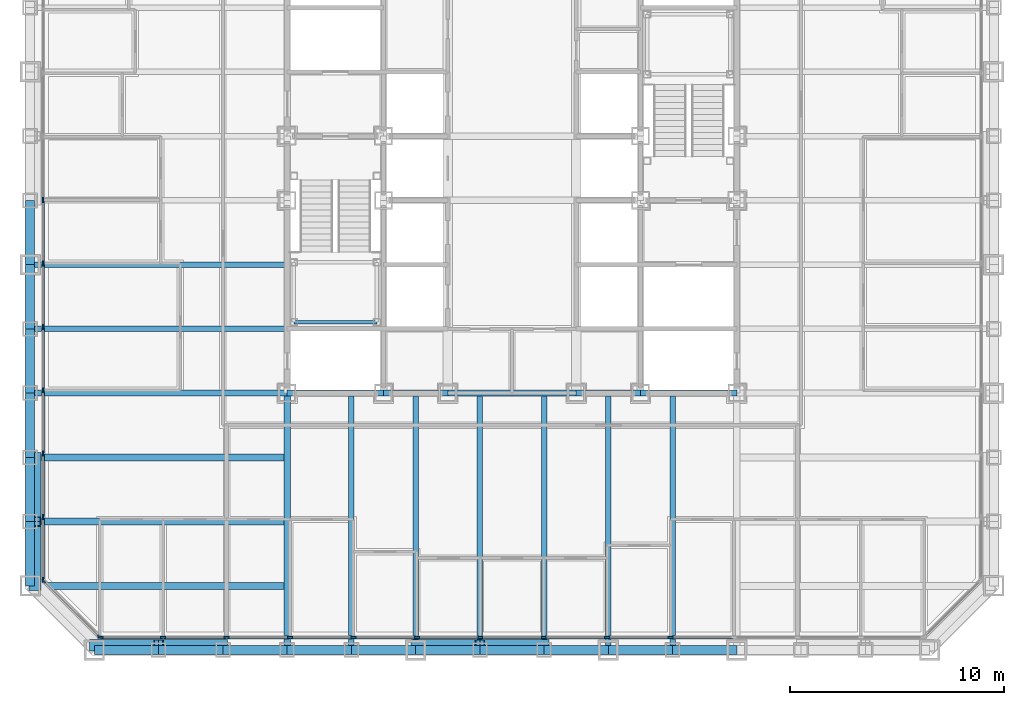
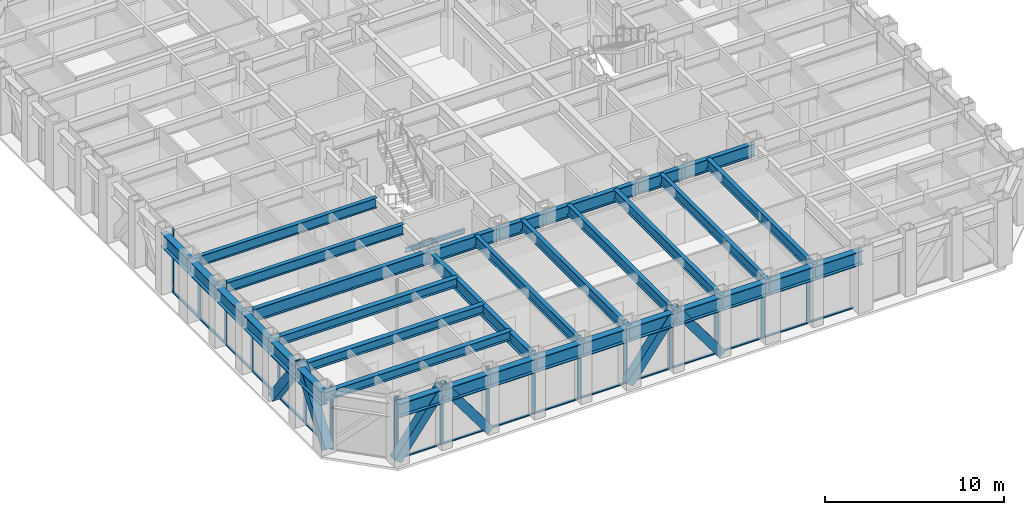
# One storey, part 2 of 16: 41 members, 35 beams, 3 elements without a shape of their own.
"""IFC4 building model written with IfcOpenShell, lengths in metres."""

from ifc_helpers import new_model, si_unit, direction, frame, origin, origin_2d, place, context, subcontext, project, spatial, rectangle, hollow_rectangle, i_section, extrude, material, layer, layer_set, material_profile, profile_set, type_object, element, aggregate, save


model = new_model("IFC4")

# Units and contexts
model_context = context("Model", 3, precision=1e-05, world=origin(), true_north=direction((0.0, 1.0)))
body_context = subcontext(model_context, "Body", "Model", "MODEL_VIEW")
ifc_project = project(units=[si_unit("LENGTHUNIT", "METRE"), si_unit("AREAUNIT", "SQUARE_METRE"), si_unit("VOLUMEUNIT", "CUBIC_METRE"), si_unit("PLANEANGLEUNIT", "RADIAN"), si_unit("MASSUNIT", "GRAM", prefix="KILO")], contexts=[model_context])

# Site, building, storey
site_placement = place(None, origin())
site = spatial("IfcSite", under=ifc_project, at=site_placement, CompositionType="ELEMENT")
building_placement = place(site_placement, origin())
building = spatial("IfcBuilding", under=site, at=building_placement, Name="Chuquiago Exchange Tower", CompositionType="ELEMENT")
storey_placement = place(building_placement, frame((0.0, 0.0, 78.300048828125)))
storey = spatial("IfcBuildingStorey", under=building, at=storey_placement, Name="L16", CompositionType="ELEMENT", Elevation=78.300048828125)

# Beams
ifc_material_1 = material(Name="Steel ASTM A992", Category="steel")
ifc_material_profile_1 = material_profile(ifc_material_1, i_section(OverallWidth=0.2919921875, OverallDepth=0.8583984375, WebThickness=0.01708984375, FlangeThickness=0.031005859375, at=origin_2d()), Name="W33X169")
ifc_profile_set_1 = profile_set([ifc_material_profile_1], Name="Steel ASTM A992")
beam_type_1 = type_object("IfcBeamType", Name="B3 W33X169", PredefinedType="BEAM", material=ifc_profile_set_1)
beam_1_placement = place(storey_placement, frame((12.0, 12.0, 3.610595703125), z_axis=(1.0, 0.0, 0.0), x_axis=(0.0, 1.0, 0.0)))
element("IfcBeam", 1, at=beam_1_placement, inside=storey, type_object=beam_type_1, Name="CB-L17-12_12-16.5_12", PredefinedType="BEAM", context=body_context, shape_type="SweptSolid", body=[
    extrude(i_section(OverallWidth=0.2919921875, OverallDepth=0.8583984375, WebThickness=0.01708984375, FlangeThickness=0.031005859375, at=origin_2d()), origin(), (0.0, 0.0, 1.0), 4.5),
])
beam_2_placement = place(storey_placement, frame((16.5, 12.0, 3.610595703125), z_axis=(1.0, 0.0, 0.0), x_axis=(0.0, 1.0, 0.0)))
element("IfcBeam", 2, at=beam_2_placement, inside=storey, type_object=beam_type_1, Name="CB-L17-16.5_12-19.5_12", PredefinedType="BEAM", context=body_context, shape_type="SweptSolid", body=[
    extrude(i_section(OverallWidth=0.2919921875, OverallDepth=0.8583984375, WebThickness=0.01708984375, FlangeThickness=0.031005859375, at=origin_2d()), origin(), (0.0, 0.0, 1.0), 3.0),
])
beam_3_placement = place(storey_placement, frame((19.5, 12.0, 3.610595703125), z_axis=(1.0, 0.0, 0.0), x_axis=(0.0, 1.0, 0.0)))
element("IfcBeam", 3, at=beam_3_placement, inside=storey, type_object=beam_type_1, Name="CB-L17-19.5_12-25.5_12", PredefinedType="BEAM", context=body_context, shape_type="SweptSolid", body=[
    extrude(i_section(OverallWidth=0.2919921875, OverallDepth=0.8583984375, WebThickness=0.01708984375, FlangeThickness=0.031005859375, at=origin_2d()), origin(), (0.0, 0.0, 1.0), 6.0),
])
beam_4_placement = place(storey_placement, frame((25.5, 12.0, 3.610595703125), z_axis=(1.0, 0.0, 0.0), x_axis=(0.0, 1.0, 0.0)))
element("IfcBeam", 4, at=beam_4_placement, inside=storey, type_object=beam_type_1, Name="CB-L17-25.5_12-28.5_12", PredefinedType="BEAM", context=body_context, shape_type="SweptSolid", body=[
    extrude(i_section(OverallWidth=0.2919921875, OverallDepth=0.8583984375, WebThickness=0.01708984375, FlangeThickness=0.031005859375, at=origin_2d()), origin(), (0.0, 0.0, 1.0), 3.0),
])
beam_5_placement = place(storey_placement, frame((28.5, 12.0, 3.610595703125), z_axis=(1.0, 0.0, 0.0), x_axis=(0.0, 1.0, 0.0)))
element("IfcBeam", 5, at=beam_5_placement, inside=storey, type_object=beam_type_1, Name="CB-L17-28.5_12-33_12", PredefinedType="BEAM", context=body_context, shape_type="SweptSolid", body=[
    extrude(i_section(OverallWidth=0.2919921875, OverallDepth=0.8583984375, WebThickness=0.01708984375, FlangeThickness=0.031005859375, at=origin_2d()), origin(), (0.0, 0.0, 1.0), 4.5),
])
ifc_material_2 = material(Name="Steel ASTM A992", Category="steel")
ifc_material_profile_2 = material_profile(ifc_material_2, i_section(OverallWidth=0.256591796875, OverallDepth=0.693359375, WebThickness=0.014404296875, FlangeThickness=0.023681640625, at=origin_2d()), Name="W27X114")
ifc_profile_set_2 = profile_set([ifc_material_profile_2], Name="Steel ASTM A992")
beam_type_2 = type_object("IfcBeamType", Name="B4 W27X114", PredefinedType="BEAM", material=ifc_profile_set_2)
for number, where, z_axis, x_axis, name in (
    (6, (15.0, 12.0, 3.693359375), (0.0, -1.0, 0.0), (1.0, 0.0, 0.0), "FB-L17-infill-15_12-15_-0-0"),
    (7, (18.0, 12.0, 3.693359375), (0.0, -1.0, 0.0), (1.0, 0.0, 0.0), "FB-L17-infill-18_12-18_-0-0"),
    (8, (21.0, 12.0, 3.693359375), (0.0, -1.0, 0.0), (1.0, 0.0, 0.0), "FB-L17-infill-21_12-21_-0-0"),
    (9, (24.0, 12.0, 3.693359375), (0.0, -1.0, 0.0), (1.0, 0.0, 0.0), "FB-L17-infill-24_12-24_-0-0"),
    (10, (27.0, 12.0, 3.693359375), (0.0, -1.0, 0.0), (1.0, 0.0, 0.0), "FB-L17-infill-27_12-27_-0-0"),
    (11, (30.0, 12.0, 3.693359375), (0.0, -1.0, 0.0), (1.0, 0.0, 0.0), "FB-L17-infill-30_12-30_-0-0"),
    (12, (12.0, 15.0, 3.693359375), (-1.0, 0.0, 0.0), (0.0, -1.0, 0.0), "FB-L17-infill-12_15--0_15-0"),
    (13, (12.0, 18.0, 3.693359375), (-1.0, 0.0, 0.0), (0.0, -1.0, 0.0), "FB-L17-infill-12_18--0_18-0"),
):
    element("IfcBeam", number, at=place(storey_placement, frame(where, z_axis=z_axis, x_axis=x_axis)), inside=storey, type_object=beam_type_2, Name=name, PredefinedType="BEAM", context=body_context, shape_type="SweptSolid", body=[
        extrude(i_section(OverallWidth=0.256591796875, OverallDepth=0.693359375, WebThickness=0.014404296875, FlangeThickness=0.023681640625, at=origin_2d()), origin(), (0.0, 0.0, 1.0), 12.0),
    ])
ifc_material_3 = material(Name="Steel ASTM A992", Category="steel")
ifc_material_profile_3 = material_profile(ifc_material_3, i_section(OverallWidth=0.3251953125, OverallDepth=0.6171875, WebThickness=0.013916015625, FlangeThickness=0.021484375, at=origin_2d()), Name="W24X117")
ifc_profile_set_3 = profile_set([ifc_material_profile_3], Name="Steel ASTM A992")
beam_type_3 = type_object("IfcBeamType", Name="B5 W24X117", PredefinedType="BEAM", material=ifc_profile_set_3)
for number, where, z_axis, x_axis, name in (
    (14, (12.0, 3.0, 3.7314453125), (-1.0, 0.0, 0.0), (0.0, -1.0, 0.0), "FB-L17-corner-12_3--0_3-0"),
    (15, (12.0, 6.0, 3.7314453125), (-1.0, 0.0, 0.0), (0.0, -1.0, 0.0), "FB-L17-corner-12_6--0_6-0"),
    (16, (12.0, 9.0, 3.7314453125), (-1.0, 0.0, 0.0), (0.0, -1.0, 0.0), "FB-L17-corner-12_9--0_9-0"),
):
    element("IfcBeam", number, at=place(storey_placement, frame(where, z_axis=z_axis, x_axis=x_axis)), inside=storey, type_object=beam_type_3, Name=name, PredefinedType="BEAM", context=body_context, shape_type="SweptSolid", body=[
        extrude(i_section(OverallWidth=0.3251953125, OverallDepth=0.6171875, WebThickness=0.013916015625, FlangeThickness=0.021484375, at=origin_2d()), origin(), (0.0, 0.0, 1.0), 12.0),
    ])

# Curtain wall, members
ifc_material_4 = material(Name="Aluminium curtain wall system", Category="aluminium")
ifc_layer_1 = layer(ifc_material_4, 0.25)
ifc_layer_set_1 = layer_set([ifc_layer_1], Name="CW1 trading floor curtain wall")
curtain_wall_type_1 = type_object("IfcCurtainWallType", Name="CW1 trading floor curtain wall", PredefinedType="NOTDEFINED", material=ifc_layer_set_1)
curtain_wall_1_placement = place(storey_placement, origin())
curtain_wall_1 = element("IfcCurtainWall", 17, at=curtain_wall_1_placement, inside=storey, type_object=curtain_wall_type_1, Name="CW1 curtain wall L16", PredefinedType="NOTDEFINED")
ifc_material_5 = material(Name="Aluminium mullion, pale anodised", Category="aluminium")
ifc_material_profile_4 = material_profile(ifc_material_5, rectangle(XDim=0.074951171875, YDim=0.25, at=origin_2d()), Name="AL 75x250")
ifc_profile_set_4 = profile_set([ifc_material_profile_4], Name="Aluminium mullion, pale anodised")
member_type_1 = type_object("IfcMemberType", Name="CW1-M mullion 75x250", PredefinedType="MULLION", material=ifc_profile_set_4)
member_1_placement = place(storey_placement, frame((3.285888671875, 0.60009765625, -0.300048828125), z_axis=(0.0, 0.0, 1.0), x_axis=(0.0, 1.0, 0.0)))
member_1 = element("IfcMember", 18, at=member_1_placement, type_object=member_type_1, Name="CW1 mullion 1", PredefinedType="MULLION", context=body_context, shape_type="SweptSolid", body=[
    extrude(rectangle(XDim=0.074951171875, YDim=0.25, at=origin_2d()), origin(), (0.0, 0.0, 1.0), 4.340087890625),
])
member_2_placement = place(storey_placement, frame((6.210205078125, 0.60009765625, -0.300048828125), z_axis=(0.0, 0.0, 1.0), x_axis=(0.0, 1.0, 0.0)))
member_2 = element("IfcMember", 19, at=member_2_placement, type_object=member_type_1, Name="CW1 mullion 2", PredefinedType="MULLION", context=body_context, shape_type="SweptSolid", body=[
    extrude(rectangle(XDim=0.074951171875, YDim=0.25, at=origin_2d()), origin(), (0.0, 0.0, 1.0), 4.340087890625),
])
member_3_placement = place(storey_placement, frame((9.172119140625, 0.60009765625, -0.300048828125), z_axis=(0.0, 0.0, 1.0), x_axis=(0.0, 1.0, 0.0)))
member_3 = element("IfcMember", 20, at=member_3_placement, type_object=member_type_1, Name="CW1 mullion 3", PredefinedType="MULLION", context=body_context, shape_type="SweptSolid", body=[
    extrude(rectangle(XDim=0.074951171875, YDim=0.25, at=origin_2d()), origin(), (0.0, 0.0, 1.0), 4.340087890625),
])
member_4_placement = place(storey_placement, frame((12.1337890625, 0.60009765625, -0.300048828125), z_axis=(0.0, 0.0, 1.0), x_axis=(0.0, 1.0, 0.0)))
member_4 = element("IfcMember", 21, at=member_4_placement, type_object=member_type_1, Name="CW1 mullion 4", PredefinedType="MULLION", context=body_context, shape_type="SweptSolid", body=[
    extrude(rectangle(XDim=0.074951171875, YDim=0.25, at=origin_2d()), origin(), (0.0, 0.0, 1.0), 4.340087890625),
])
member_5_placement = place(storey_placement, frame((15.095458984375, 0.60009765625, -0.300048828125), z_axis=(0.0, 0.0, 1.0), x_axis=(0.0, 1.0, 0.0)))
member_5 = element("IfcMember", 22, at=member_5_placement, type_object=member_type_1, Name="CW1 mullion 5", PredefinedType="MULLION", context=body_context, shape_type="SweptSolid", body=[
    extrude(rectangle(XDim=0.074951171875, YDim=0.25, at=origin_2d()), origin(), (0.0, 0.0, 1.0), 4.340087890625),
])
member_6_placement = place(storey_placement, frame((18.057373046875, 0.60009765625, -0.300048828125), z_axis=(0.0, 0.0, 1.0), x_axis=(0.0, 1.0, 0.0)))
member_6 = element("IfcMember", 23, at=member_6_placement, type_object=member_type_1, Name="CW1 mullion 6", PredefinedType="MULLION", context=body_context, shape_type="SweptSolid", body=[
    extrude(rectangle(XDim=0.074951171875, YDim=0.25, at=origin_2d()), origin(), (0.0, 0.0, 1.0), 4.340087890625),
])
member_7_placement = place(storey_placement, frame((21.01904296875, 0.60009765625, -0.300048828125), z_axis=(0.0, 0.0, 1.0), x_axis=(0.0, 1.0, 0.0)))
member_7 = element("IfcMember", 24, at=member_7_placement, type_object=member_type_1, Name="CW1 mullion 7", PredefinedType="MULLION", context=body_context, shape_type="SweptSolid", body=[
    extrude(rectangle(XDim=0.074951171875, YDim=0.25, at=origin_2d()), origin(), (0.0, 0.0, 1.0), 4.340087890625),
])
member_8_placement = place(storey_placement, frame((23.98095703125, 0.60009765625, -0.300048828125), z_axis=(0.0, 0.0, 1.0), x_axis=(0.0, 1.0, 0.0)))
member_8 = element("IfcMember", 25, at=member_8_placement, type_object=member_type_1, Name="CW1 mullion 8", PredefinedType="MULLION", context=body_context, shape_type="SweptSolid", body=[
    extrude(rectangle(XDim=0.074951171875, YDim=0.25, at=origin_2d()), origin(), (0.0, 0.0, 1.0), 4.340087890625),
])
member_9_placement = place(storey_placement, frame((26.942626953125, 0.60009765625, -0.300048828125), z_axis=(0.0, 0.0, 1.0), x_axis=(0.0, 1.0, 0.0)))
member_9 = element("IfcMember", 26, at=member_9_placement, type_object=member_type_1, Name="CW1 mullion 9", PredefinedType="MULLION", context=body_context, shape_type="SweptSolid", body=[
    extrude(rectangle(XDim=0.074951171875, YDim=0.25, at=origin_2d()), origin(), (0.0, 0.0, 1.0), 4.340087890625),
])
member_10_placement = place(storey_placement, frame((29.904541015625, 0.60009765625, -0.300048828125), z_axis=(0.0, 0.0, 1.0), x_axis=(0.0, 1.0, 0.0)))
member_10 = element("IfcMember", 27, at=member_10_placement, type_object=member_type_1, Name="CW1 mullion 10", PredefinedType="MULLION", context=body_context, shape_type="SweptSolid", body=[
    extrude(rectangle(XDim=0.074951171875, YDim=0.25, at=origin_2d()), origin(), (0.0, 0.0, 1.0), 4.340087890625),
])

curtain_wall_2_placement = place(storey_placement, origin())
curtain_wall_2 = element("IfcCurtainWall", 28, at=curtain_wall_2_placement, inside=storey, type_object=curtain_wall_type_1, Name="CW1 curtain wall L16", PredefinedType="NOTDEFINED")
member_11_placement = place(storey_placement, frame((0.60009765625, 21.01904296875, -0.300048828125), z_axis=(0.0, 0.0, 1.0), x_axis=(1.0, 0.0, 0.0)))
member_11 = element("IfcMember", 29, at=member_11_placement, type_object=member_type_1, Name="CW1 mullion 8", PredefinedType="MULLION", context=body_context, shape_type="SweptSolid", body=[
    extrude(rectangle(XDim=0.074951171875, YDim=0.25, at=origin_2d()), origin(), (0.0, 0.0, 1.0), 4.340087890625),
])
member_12_placement = place(storey_placement, frame((0.60009765625, 18.057373046875, -0.300048828125), z_axis=(0.0, 0.0, 1.0), x_axis=(1.0, 0.0, 0.0)))
member_12 = element("IfcMember", 30, at=member_12_placement, type_object=member_type_1, Name="CW1 mullion 9", PredefinedType="MULLION", context=body_context, shape_type="SweptSolid", body=[
    extrude(rectangle(XDim=0.074951171875, YDim=0.25, at=origin_2d()), origin(), (0.0, 0.0, 1.0), 4.340087890625),
])
member_13_placement = place(storey_placement, frame((0.60009765625, 15.095458984375, -0.300048828125), z_axis=(0.0, 0.0, 1.0), x_axis=(1.0, 0.0, 0.0)))
member_13 = element("IfcMember", 31, at=member_13_placement, type_object=member_type_1, Name="CW1 mullion 10", PredefinedType="MULLION", context=body_context, shape_type="SweptSolid", body=[
    extrude(rectangle(XDim=0.074951171875, YDim=0.25, at=origin_2d()), origin(), (0.0, 0.0, 1.0), 4.340087890625),
])
member_14_placement = place(storey_placement, frame((0.60009765625, 12.1337890625, -0.300048828125), z_axis=(0.0, 0.0, 1.0), x_axis=(1.0, 0.0, 0.0)))
member_14 = element("IfcMember", 32, at=member_14_placement, type_object=member_type_1, Name="CW1 mullion 11", PredefinedType="MULLION", context=body_context, shape_type="SweptSolid", body=[
    extrude(rectangle(XDim=0.074951171875, YDim=0.25, at=origin_2d()), origin(), (0.0, 0.0, 1.0), 4.340087890625),
])
member_15_placement = place(storey_placement, frame((0.60009765625, 9.172119140625, -0.300048828125), z_axis=(0.0, 0.0, 1.0), x_axis=(1.0, 0.0, 0.0)))
member_15 = element("IfcMember", 33, at=member_15_placement, type_object=member_type_1, Name="CW1 mullion 12", PredefinedType="MULLION", context=body_context, shape_type="SweptSolid", body=[
    extrude(rectangle(XDim=0.074951171875, YDim=0.25, at=origin_2d()), origin(), (0.0, 0.0, 1.0), 4.340087890625),
])
member_16_placement = place(storey_placement, frame((0.60009765625, 6.210205078125, -0.300048828125), z_axis=(0.0, 0.0, 1.0), x_axis=(1.0, 0.0, 0.0)))
member_16 = element("IfcMember", 34, at=member_16_placement, type_object=member_type_1, Name="CW1 mullion 13", PredefinedType="MULLION", context=body_context, shape_type="SweptSolid", body=[
    extrude(rectangle(XDim=0.074951171875, YDim=0.25, at=origin_2d()), origin(), (0.0, 0.0, 1.0), 4.340087890625),
])
member_17_placement = place(storey_placement, frame((0.60009765625, 3.285888671875, -0.300048828125), z_axis=(0.0, 0.0, 1.0), x_axis=(1.0, 0.0, 0.0)))
member_17 = element("IfcMember", 35, at=member_17_placement, type_object=member_type_1, Name="CW1 mullion 14", PredefinedType="MULLION", context=body_context, shape_type="SweptSolid", body=[
    extrude(rectangle(XDim=0.074951171875, YDim=0.25, at=origin_2d()), origin(), (0.0, 0.0, 1.0), 4.340087890625),
])

# Member
ifc_material_6 = material(Name="Aluminium transom, pale anodised", Category="aluminium")
ifc_material_profile_5 = material_profile(ifc_material_6, rectangle(XDim=0.14990234375, YDim=0.074951171875, at=origin_2d()), Name="AL 150x75")
ifc_profile_set_5 = profile_set([ifc_material_profile_5], Name="Aluminium transom, pale anodised")
member_type_2 = type_object("IfcMemberType", Name="CW1-T transom 75x150", PredefinedType="MULLION", material=ifc_profile_set_5)
member_18_placement = place(storey_placement, frame((3.323486328125, 0.60009765625, -0.262451171875), z_axis=(1.0, 0.0, 0.0), x_axis=(0.0, 1.0, 0.0)))
member_18 = element("IfcMember", 36, at=member_18_placement, type_object=member_type_2, Name="CW1 transom 1.1", PredefinedType="MULLION", context=body_context, shape_type="SweptSolid", body=[
    extrude(rectangle(XDim=0.14990234375, YDim=0.074951171875, at=origin_2d()), origin(), (0.0, 0.0, 1.0), 2.849365234375),
])

member_19_placement = place(storey_placement, frame((6.247802734375, 0.60009765625, -0.262451171875), z_axis=(1.0, 0.0, 0.0), x_axis=(0.0, 1.0, 0.0)))
member_19 = element("IfcMember", 37, at=member_19_placement, type_object=member_type_2, Name="CW1 transom 2.1", PredefinedType="MULLION", context=body_context, shape_type="SweptSolid", body=[
    extrude(rectangle(XDim=0.14990234375, YDim=0.074951171875, at=origin_2d()), origin(), (0.0, 0.0, 1.0), 2.88671875),
])

member_20_placement = place(storey_placement, frame((9.20947265625, 0.60009765625, -0.262451171875), z_axis=(1.0, 0.0, 0.0), x_axis=(0.0, 1.0, 0.0)))
member_20 = element("IfcMember", 38, at=member_20_placement, type_object=member_type_2, Name="CW1 transom 3.1", PredefinedType="MULLION", context=body_context, shape_type="SweptSolid", body=[
    extrude(rectangle(XDim=0.14990234375, YDim=0.074951171875, at=origin_2d()), origin(), (0.0, 0.0, 1.0), 2.88671875),
])

member_21_placement = place(storey_placement, frame((12.17138671875, 0.60009765625, -0.262451171875), z_axis=(1.0, 0.0, 0.0), x_axis=(0.0, 1.0, 0.0)))
member_21 = element("IfcMember", 39, at=member_21_placement, type_object=member_type_2, Name="CW1 transom 4.1", PredefinedType="MULLION", context=body_context, shape_type="SweptSolid", body=[
    extrude(rectangle(XDim=0.14990234375, YDim=0.074951171875, at=origin_2d()), origin(), (0.0, 0.0, 1.0), 2.88671875),
])

member_22_placement = place(storey_placement, frame((15.133056640625, 0.60009765625, -0.262451171875), z_axis=(1.0, 0.0, 0.0), x_axis=(0.0, 1.0, 0.0)))
member_22 = element("IfcMember", 40, at=member_22_placement, type_object=member_type_2, Name="CW1 transom 5.1", PredefinedType="MULLION", context=body_context, shape_type="SweptSolid", body=[
    extrude(rectangle(XDim=0.14990234375, YDim=0.074951171875, at=origin_2d()), origin(), (0.0, 0.0, 1.0), 2.88671875),
])

member_23_placement = place(storey_placement, frame((18.0947265625, 0.60009765625, -0.262451171875), z_axis=(1.0, 0.0, 0.0), x_axis=(0.0, 1.0, 0.0)))
member_23 = element("IfcMember", 41, at=member_23_placement, type_object=member_type_2, Name="CW1 transom 6.1", PredefinedType="MULLION", context=body_context, shape_type="SweptSolid", body=[
    extrude(rectangle(XDim=0.14990234375, YDim=0.074951171875, at=origin_2d()), origin(), (0.0, 0.0, 1.0), 2.886962890625),
])

member_24_placement = place(storey_placement, frame((21.056640625, 0.60009765625, -0.262451171875), z_axis=(1.0, 0.0, 0.0), x_axis=(0.0, 1.0, 0.0)))
member_24 = element("IfcMember", 42, at=member_24_placement, type_object=member_type_2, Name="CW1 transom 7.1", PredefinedType="MULLION", context=body_context, shape_type="SweptSolid", body=[
    extrude(rectangle(XDim=0.14990234375, YDim=0.074951171875, at=origin_2d()), origin(), (0.0, 0.0, 1.0), 2.88671875),
])

member_25_placement = place(storey_placement, frame((24.018310546875, 0.60009765625, -0.262451171875), z_axis=(1.0, 0.0, 0.0), x_axis=(0.0, 1.0, 0.0)))
member_25 = element("IfcMember", 43, at=member_25_placement, type_object=member_type_2, Name="CW1 transom 8.1", PredefinedType="MULLION", context=body_context, shape_type="SweptSolid", body=[
    extrude(rectangle(XDim=0.14990234375, YDim=0.074951171875, at=origin_2d()), origin(), (0.0, 0.0, 1.0), 2.886962890625),
])

member_26_placement = place(storey_placement, frame((26.980224609375, 0.60009765625, -0.262451171875), z_axis=(1.0, 0.0, 0.0), x_axis=(0.0, 1.0, 0.0)))
member_26 = element("IfcMember", 44, at=member_26_placement, type_object=member_type_2, Name="CW1 transom 9.1", PredefinedType="MULLION", context=body_context, shape_type="SweptSolid", body=[
    extrude(rectangle(XDim=0.14990234375, YDim=0.074951171875, at=origin_2d()), origin(), (0.0, 0.0, 1.0), 2.88671875),
])

member_27_placement = place(storey_placement, frame((29.94189453125, 0.60009765625, -0.262451171875), z_axis=(1.0, 0.0, 0.0), x_axis=(0.0, 1.0, 0.0)))
member_27 = element("IfcMember", 45, at=member_27_placement, type_object=member_type_2, Name="CW1 transom 10.1", PredefinedType="MULLION", context=body_context, shape_type="SweptSolid", body=[
    extrude(rectangle(XDim=0.14990234375, YDim=0.074951171875, at=origin_2d()), origin(), (0.0, 0.0, 1.0), 2.88671875),
])

aggregate(curtain_wall_1, [member_1, member_2, member_3, member_4, member_5, member_6, member_7, member_8, member_9, member_10, member_18, member_19, member_20, member_21, member_22, member_23, member_24, member_25, member_26, member_27])

member_28_placement = place(storey_placement, frame((0.60009765625, 20.981689453125, -0.262451171875), z_axis=(0.0, -1.0, 0.0), x_axis=(1.0, 0.0, 0.0)))
member_28 = element("IfcMember", 46, at=member_28_placement, type_object=member_type_2, Name="CW1 transom 8.1", PredefinedType="MULLION", context=body_context, shape_type="SweptSolid", body=[
    extrude(rectangle(XDim=0.14990234375, YDim=0.074951171875, at=origin_2d()), origin(), (0.0, 0.0, 1.0), 2.886962890625),
])

member_29_placement = place(storey_placement, frame((0.60009765625, 18.019775390625, -0.262451171875), z_axis=(0.0, -1.0, 0.0), x_axis=(1.0, 0.0, 0.0)))
member_29 = element("IfcMember", 47, at=member_29_placement, type_object=member_type_2, Name="CW1 transom 9.1", PredefinedType="MULLION", context=body_context, shape_type="SweptSolid", body=[
    extrude(rectangle(XDim=0.14990234375, YDim=0.074951171875, at=origin_2d()), origin(), (0.0, 0.0, 1.0), 2.88671875),
])

member_30_placement = place(storey_placement, frame((0.60009765625, 15.05810546875, -0.262451171875), z_axis=(0.0, -1.0, 0.0), x_axis=(1.0, 0.0, 0.0)))
member_30 = element("IfcMember", 48, at=member_30_placement, type_object=member_type_2, Name="CW1 transom 10.1", PredefinedType="MULLION", context=body_context, shape_type="SweptSolid", body=[
    extrude(rectangle(XDim=0.14990234375, YDim=0.074951171875, at=origin_2d()), origin(), (0.0, 0.0, 1.0), 2.88671875),
])

member_31_placement = place(storey_placement, frame((0.60009765625, 12.09619140625, -0.262451171875), z_axis=(0.0, -1.0, 0.0), x_axis=(1.0, 0.0, 0.0)))
member_31 = element("IfcMember", 49, at=member_31_placement, type_object=member_type_2, Name="CW1 transom 11.1", PredefinedType="MULLION", context=body_context, shape_type="SweptSolid", body=[
    extrude(rectangle(XDim=0.14990234375, YDim=0.074951171875, at=origin_2d()), origin(), (0.0, 0.0, 1.0), 2.88671875),
])

member_32_placement = place(storey_placement, frame((0.60009765625, 9.134521484375, -0.262451171875), z_axis=(0.0, -1.0, 0.0), x_axis=(1.0, 0.0, 0.0)))
member_32 = element("IfcMember", 50, at=member_32_placement, type_object=member_type_2, Name="CW1 transom 12.1", PredefinedType="MULLION", context=body_context, shape_type="SweptSolid", body=[
    extrude(rectangle(XDim=0.14990234375, YDim=0.074951171875, at=origin_2d()), origin(), (0.0, 0.0, 1.0), 2.88671875),
])

member_33_placement = place(storey_placement, frame((0.60009765625, 6.1728515625, -0.262451171875), z_axis=(0.0, -1.0, 0.0), x_axis=(1.0, 0.0, 0.0)))
member_33 = element("IfcMember", 51, at=member_33_placement, type_object=member_type_2, Name="CW1 transom 13.1", PredefinedType="MULLION", context=body_context, shape_type="SweptSolid", body=[
    extrude(rectangle(XDim=0.14990234375, YDim=0.074951171875, at=origin_2d()), origin(), (0.0, 0.0, 1.0), 2.849365234375),
])

aggregate(curtain_wall_2, [member_11, member_12, member_13, member_14, member_15, member_16, member_17, member_28, member_29, member_30, member_31, member_32, member_33])

# Curtain wall, members
ifc_material_7 = material(Name="Aluminium curtain wall system", Category="aluminium")
ifc_layer_2 = layer(ifc_material_7, 0.199951171875)
ifc_layer_set_2 = layer_set([ifc_layer_2], Name="CW3 facet curtain wall")
curtain_wall_type_2 = type_object("IfcCurtainWallType", Name="CW3 facet curtain wall", PredefinedType="NOTDEFINED", material=ifc_layer_set_2)
curtain_wall_3_placement = place(storey_placement, origin())
curtain_wall_3 = element("IfcCurtainWall", 52, at=curtain_wall_3_placement, inside=storey, type_object=curtain_wall_type_2, Name="CW3 curtain wall L16", PredefinedType="NOTDEFINED")
ifc_material_8 = material(Name="Aluminium mullion, pale anodised", Category="aluminium")
ifc_material_profile_6 = material_profile(ifc_material_8, rectangle(XDim=0.06494140625, YDim=0.199951171875, at=origin_2d()), Name="AL 65x200")
ifc_profile_set_6 = profile_set([ifc_material_profile_6], Name="Aluminium mullion, pale anodised")
member_type_3 = type_object("IfcMemberType", Name="CW3-M mullion 65x200", PredefinedType="MULLION", material=ifc_profile_set_6)
member_34_placement = place(storey_placement, frame((0.623046875, 3.2255859375, -0.300048828125), z_axis=(0.0, 0.0, 1.0), x_axis=(0.707106781187, 0.707106781187, 0.0)))
member_34 = element("IfcMember", 53, at=member_34_placement, type_object=member_type_3, Name="CW3 mullion 1", PredefinedType="MULLION", context=body_context, shape_type="SweptSolid", body=[
    extrude(rectangle(XDim=0.06494140625, YDim=0.199951171875, at=origin_2d()), origin(), (0.0, 0.0, 1.0), 4.340087890625),
])
member_35_placement = place(storey_placement, frame((3.2255859375, 0.623046875, -0.300048828125), z_axis=(0.0, 0.0, 1.0), x_axis=(0.707106781187, 0.707106781187, 0.0)))
member_35 = element("IfcMember", 54, at=member_35_placement, type_object=member_type_3, Name="CW3 mullion 2", PredefinedType="MULLION", context=body_context, shape_type="SweptSolid", body=[
    extrude(rectangle(XDim=0.06494140625, YDim=0.199951171875, at=origin_2d()), origin(), (0.0, 0.0, 1.0), 4.340087890625),
])
aggregate(curtain_wall_3, [member_34, member_35])

# Beams
ifc_material_9 = material(Name="Steel ASTM A992", Category="steel")
ifc_material_profile_7 = material_profile(ifc_material_9, i_section(OverallWidth=0.2919921875, OverallDepth=0.8583984375, WebThickness=0.01708984375, FlangeThickness=0.031005859375, at=origin_2d()), Name="W33X169")
ifc_profile_set_7 = profile_set([ifc_material_profile_7], Name="Steel ASTM A992")
beam_type_4 = type_object("IfcBeamType", Name="G2 W33X169", PredefinedType="BEAM", material=ifc_profile_set_7)
for number, where, z_axis, x_axis, name in (
    (55, (12.0, 12.0, 3.610595703125), (0.0, -1.0, 0.0), (1.0, 0.0, 0.0), "FB-L17-girder-12_12-12_-0-0"),
    (56, (12.0, 12.0, 3.610595703125), (-1.0, 0.0, 0.0), (0.0, -1.0, 0.0), "FB-L17-girder-12_12--0_12-0"),
):
    element("IfcBeam", number, at=place(storey_placement, frame(where, z_axis=z_axis, x_axis=x_axis)), inside=storey, type_object=beam_type_4, Name=name, PredefinedType="BEAM", context=body_context, shape_type="SweptSolid", body=[
        extrude(i_section(OverallWidth=0.2919921875, OverallDepth=0.8583984375, WebThickness=0.01708984375, FlangeThickness=0.031005859375, at=origin_2d()), origin(), (0.0, 0.0, 1.0), 12.0),
    ])
ifc_material_10 = material(Name="Steel ASTM A992", Category="steel")
ifc_material_profile_8 = material_profile(ifc_material_10, i_section(OverallWidth=0.164794921875, OverallDepth=0.309814453125, WebThickness=0.005859375, FlangeThickness=0.009765625, at=origin_2d()), Name="W12X26")
ifc_profile_set_8 = profile_set([ifc_material_profile_8], Name="Steel ASTM A992")
beam_type_5 = type_object("IfcBeamType", Name="LT1 W12X26", PredefinedType="BEAM", material=ifc_profile_set_8)
beam_6_placement = place(storey_placement, frame((12.31005859375, 15.31005859375, 1.89501953125), z_axis=(1.0, 0.0, 0.0), x_axis=(0.0, 1.0, 0.0)))
element("IfcBeam", 57, at=beam_6_placement, inside=storey, type_object=beam_type_5, Name="Stair ST1 L16 landing 1 trimmer", PredefinedType="BEAM", context=body_context, shape_type="SweptSolid", body=[
    extrude(i_section(OverallWidth=0.164794921875, OverallDepth=0.309814453125, WebThickness=0.005859375, FlangeThickness=0.009765625, at=origin_2d()), origin(), (0.0, 0.0, 1.0), 3.8798828125),
])

# Members
ifc_material_11 = material(Name="Steel ASTM A572 Grade 50", Category="steel")
ifc_material_profile_9 = material_profile(ifc_material_11, hollow_rectangle(XDim=0.550048828125, YDim=0.550048828125, WallThickness=0.044921875, at=origin_2d()), Name="BOX550X550X45")
ifc_profile_set_9 = profile_set([ifc_material_profile_9], Name="Steel ASTM A572 Grade 50")
member_type_4 = type_object("IfcMemberType", Name="MB1 BOX550X550X45", PredefinedType="BRACE", material=ifc_profile_set_9)
for number, where, z_axis, x_axis, name in (
    (58, (3.0, 0.22998046875, 0.0), (0.596173923302, 0.0, 0.802855312728), (0.0, 1.0, 0.0), "Mega diagonal L16 S face"),
    (59, (9.0, 0.22998046875, 0.0), (-0.596173923302, 0.0, 0.802855312728), (0.0, -1.0, 0.0), "Mega diagonal L16 S face"),
    (60, (18.0, 0.22998046875, 0.0), (0.596173923302, 0.0, 0.802855312728), (0.0, 1.0, 0.0), "Mega diagonal L16 S face"),
    (61, (24.0, 0.22998046875, 0.0), (-0.596173923302, 0.0, 0.802855312728), (0.0, -1.0, 0.0), "Mega diagonal L16 S face"),
    (62, (0.22998046875, 9.0, 0.0), (0.0, -0.596173923302, 0.802855312728), (1.0, 0.0, 0.0), "Mega diagonal L16 W face"),
    (63, (0.22998046875, 3.0, 0.0), (0.0, 0.596173923302, 0.802855312728), (-1.0, 0.0, 0.0), "Mega diagonal L16 W face"),
):
    element("IfcMember", number, at=place(storey_placement, frame(where, z_axis=z_axis, x_axis=x_axis)), inside=storey, type_object=member_type_4, Name=name, PredefinedType="BRACE", context=body_context, shape_type="SweptSolid", body=[
        extrude(hollow_rectangle(XDim=0.550048828125, YDim=0.550048828125, WallThickness=0.044921875, at=origin_2d()), origin(), (0.0, 0.0, 1.0), 5.031982421875),
    ])

# Beams
ifc_material_12 = material(Name="Steel ASTM A992", Category="steel")
ifc_material_profile_10 = material_profile(ifc_material_12, i_section(OverallWidth=0.424072265625, OverallDepth=0.947509765625, WebThickness=0.02392578125, FlangeThickness=0.042724609375, at=origin_2d()), Name="W36X302")
ifc_profile_set_10 = profile_set([ifc_material_profile_10], Name="Steel ASTM A992")
beam_type_6 = type_object("IfcBeamType", Name="SP1 W36X302", PredefinedType="SPANDREL", material=ifc_profile_set_10)
for number, where, z_axis, x_axis, name in (
    (64, (3.0, 0.0, 3.566162109375), (1.0, 0.0, 0.0), (0.0, 1.0, 0.0), "SPB-L17-3_0-6_0"),
    (65, (6.0, 0.0, 3.566162109375), (1.0, 0.0, 0.0), (0.0, 1.0, 0.0), "SPB-L17-6_0-9_0"),
    (66, (9.0, 0.0, 3.566162109375), (1.0, 0.0, 0.0), (0.0, 1.0, 0.0), "SPB-L17-9_0-12_0"),
    (67, (12.0, 0.0, 3.566162109375), (1.0, 0.0, 0.0), (0.0, 1.0, 0.0), "SPB-L17-12_0-15_0"),
    (68, (15.0, 0.0, 3.566162109375), (1.0, 0.0, 0.0), (0.0, 1.0, 0.0), "SPB-L17-15_0-18_0"),
    (69, (18.0, 0.0, 3.566162109375), (1.0, 0.0, 0.0), (0.0, 1.0, 0.0), "SPB-L17-18_0-21_0"),
    (70, (21.0, 0.0, 3.566162109375), (1.0, 0.0, 0.0), (0.0, 1.0, 0.0), "SPB-L17-21_0-24_0"),
    (71, (24.0, 0.0, 3.566162109375), (1.0, 0.0, 0.0), (0.0, 1.0, 0.0), "SPB-L17-24_0-27_0"),
    (72, (27.0, 0.0, 3.566162109375), (1.0, 0.0, 0.0), (0.0, 1.0, 0.0), "SPB-L17-27_0-30_0"),
    (73, (30.0, 0.0, 3.566162109375), (1.0, 0.0, 0.0), (0.0, 1.0, 0.0), "SPB-L17-30_0-33_0"),
    (74, (0.0, 21.0, 3.566162109375), (0.0, -1.0, 0.0), (1.0, 0.0, 0.0), "SPB-L17-0_21-0_18"),
    (75, (0.0, 18.0, 3.566162109375), (0.0, -1.0, 0.0), (1.0, 0.0, 0.0), "SPB-L17-0_18-0_15"),
    (76, (0.0, 15.0, 3.566162109375), (0.0, -1.0, 0.0), (1.0, 0.0, 0.0), "SPB-L17-0_15-0_12"),
    (77, (0.0, 12.0, 3.566162109375), (0.0, -1.0, 0.0), (1.0, 0.0, 0.0), "SPB-L17-0_12-0_9"),
    (78, (0.0, 9.0, 3.566162109375), (0.0, -1.0, 0.0), (1.0, 0.0, 0.0), "SPB-L17-0_9-0_6"),
    (79, (0.0, 6.0, 3.566162109375), (0.0, -1.0, 0.0), (1.0, 0.0, 0.0), "SPB-L17-0_6-0_3"),
):
    element("IfcBeam", number, at=place(storey_placement, frame(where, z_axis=z_axis, x_axis=x_axis)), inside=storey, type_object=beam_type_6, Name=name, PredefinedType="SPANDREL", context=body_context, shape_type="SweptSolid", body=[
        extrude(i_section(OverallWidth=0.424072265625, OverallDepth=0.947509765625, WebThickness=0.02392578125, FlangeThickness=0.042724609375, at=origin_2d()), origin(), (0.0, 0.0, 1.0), 3.0),
    ])

save(model, "model.ifc")
